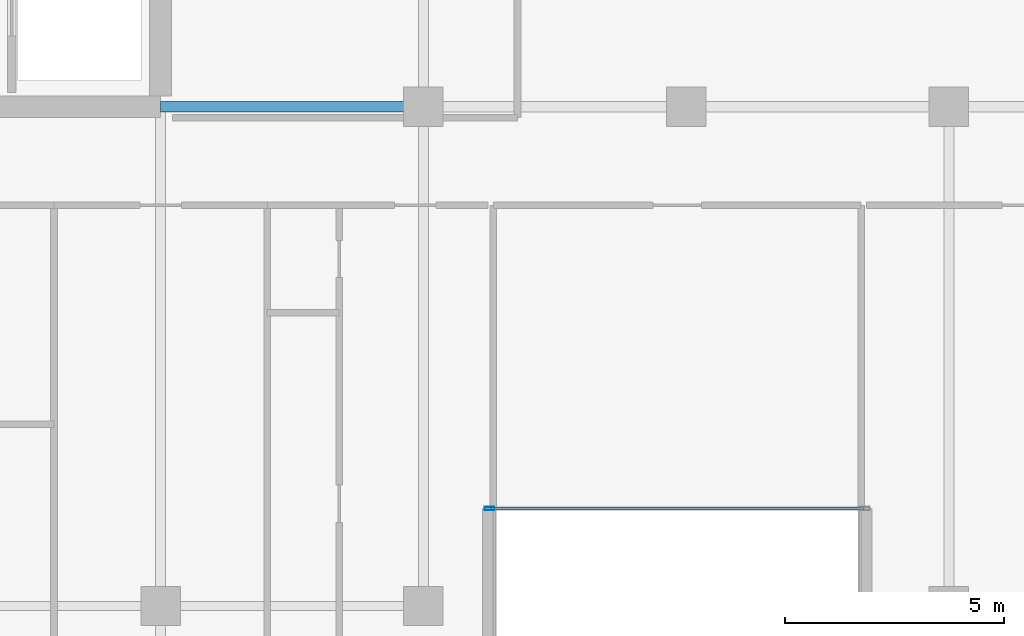
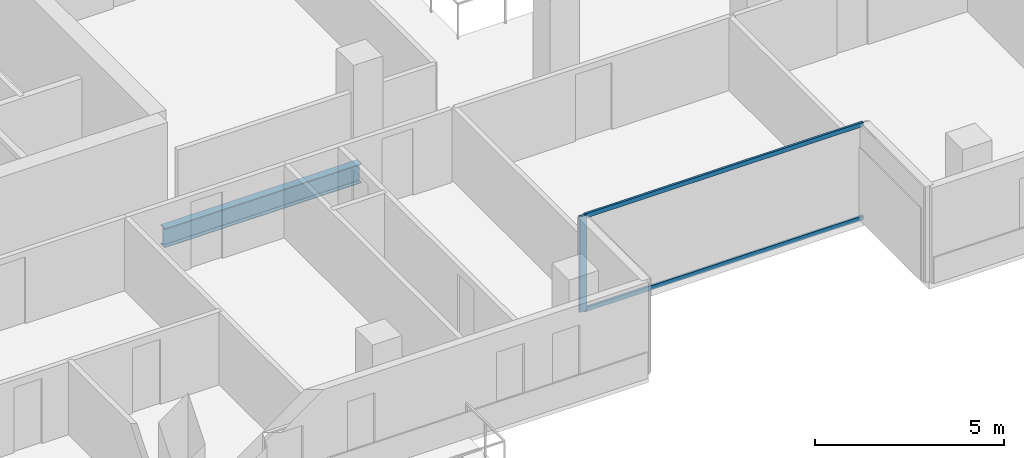
# One storey, part 4 of 29: 3 members, 1 beam, 1 element without a shape of its own.
"""IFC4 building model written with IfcOpenShell, lengths in metres."""

from ifc_helpers import new_model, si_unit, direction, frame, origin, origin_2d, place, context, subcontext, project, spatial, hollow_rectangle, i_section, extrude, material, layer, layer_set, material_profile, profile_set, type_object, element, aggregate, save


model = new_model("IFC4")

# Units and contexts
model_context = context("Model", 3, precision=1e-05, world=origin(), true_north=direction((0.0, 1.0)))
body_context = subcontext(model_context, "Body", "Model", "MODEL_VIEW")
ifc_project = project(units=[si_unit("LENGTHUNIT", "METRE"), si_unit("AREAUNIT", "SQUARE_METRE"), si_unit("VOLUMEUNIT", "CUBIC_METRE"), si_unit("PLANEANGLEUNIT", "RADIAN"), si_unit("MASSUNIT", "GRAM", prefix="KILO")], contexts=[model_context])

# Site, building, storey
site_placement = place(None, origin())
site = spatial("IfcSite", under=ifc_project, at=site_placement, CompositionType="ELEMENT")
building_placement = place(site_placement, origin())
building = spatial("IfcBuilding", under=site, at=building_placement, Name="Tanjung Sevakor Pilgrim Tower", CompositionType="ELEMENT")
storey_placement = place(building_placement, frame((0.0, 0.0, 151.800048828125)))
storey = spatial("IfcBuildingStorey", under=building, at=storey_placement, Name="L42", CompositionType="ELEMENT", Elevation=151.800048828125)

# Beam
ifc_material_1 = material(Name="Steel S355J2", Category="steel")
ifc_material_profile_1 = material_profile(ifc_material_1, i_section(OverallWidth=0.230224609375, OverallDepth=0.6171875, WebThickness=0.01318359375, FlangeThickness=0.022216796875, FilletRadius=0.0126953125, at=origin_2d()))
ifc_profile_set_1 = profile_set([ifc_material_profile_1], Name="Steel S355J2")
beam_type = type_object("IfcBeamType", Name="BM-B-G3-UB_610x229x140", PredefinedType="BEAM", material=ifc_profile_set_1)
beam_placement = place(storey_placement, frame((36.0, 24.60009765625, -0.528564453125), z_axis=(1.0, 0.0, 0.0), x_axis=(0.0, 1.0, 0.0)))
element("IfcBeam", 1, at=beam_placement, inside=storey, type_object=beam_type, Name="L42 Primary Floor Girder MAIN Y246-01", PredefinedType="BEAM", context=body_context, shape_type="SweptSolid", body=[
    extrude(i_section(OverallWidth=0.230224609375, OverallDepth=0.6171875, WebThickness=0.01318359375, FlangeThickness=0.022216796875, FilletRadius=0.0126953125, at=origin_2d()), origin(), (0.0, 0.0, 1.0), 6.0),
])

# Curtain wall, members
ifc_material_2 = material(Name="Aluminium 6063-T6 and Low-E Glass", Category="aluminium")
ifc_layer = layer(ifc_material_2, 0.179931640625)
ifc_layer_set = layer_set([ifc_layer], Name="CW-SYS-CLEFT")
curtain_wall_type = type_object("IfcCurtainWallType", Name="CW-SYS-CLEFT", PredefinedType="NOTDEFINED", material=ifc_layer_set)
curtain_wall_placement = place(storey_placement, origin())
curtain_wall = element("IfcCurtainWall", 2, at=curtain_wall_placement, inside=storey, type_object=curtain_wall_type, Name="L42 Curtain Wall CW-CLF-L42-2", PredefinedType="NOTDEFINED")
ifc_material_3 = material(Name="Aluminium 6063-T6", Category="aluminium")
ifc_material_profile_2 = material_profile(ifc_material_3, hollow_rectangle(XDim=0.074951171875, YDim=0.219970703125, WallThickness=0.0048828125, at=origin_2d()))
ifc_profile_set_2 = profile_set([ifc_material_profile_2], Name="Aluminium 6063-T6")
member_type_1 = type_object("IfcMemberType", Name="TYPE-CWM-2", PredefinedType="MULLION", material=ifc_profile_set_2)
member_1_placement = place(storey_placement, frame((43.512451171875, 15.425048828125, 0.0), z_axis=(0.0, 0.0, 1.0), x_axis=(0.0, 1.0, 0.0)))
member_1 = element("IfcMember", 3, at=member_1_placement, type_object=member_type_1, Name="CW-CLF mullion 1", PredefinedType="MULLION", context=body_context, shape_type="SweptSolid", body=[
    extrude(hollow_rectangle(XDim=0.074951171875, YDim=0.219970703125, WallThickness=0.0048828125, at=origin_2d()), origin(), (0.0, 0.0, 1.0), 3.079833984375),
])
ifc_material_4 = material(Name="Aluminium 6063-T6", Category="aluminium")
ifc_material_profile_3 = material_profile(ifc_material_4, hollow_rectangle(XDim=0.06494140625, YDim=0.139892578125, WallThickness=0.00390625, at=origin_2d()))
ifc_profile_set_3 = profile_set([ifc_material_profile_3], Name="Aluminium 6063-T6")
member_type_2 = type_object("IfcMemberType", Name="TYPE-CWT-1", PredefinedType="USERDEFINED", material=ifc_profile_set_3)
member_2_placement = place(storey_placement, frame((43.550048828125, 15.425048828125, 0.032470703125), z_axis=(1.0, 0.0, 0.0), x_axis=(0.0, 1.0, 0.0)))
member_2 = element("IfcMember", 4, at=member_2_placement, type_object=member_type_2, Name="CW-CLF transom 1.1", ObjectType="TRANSOM", PredefinedType="USERDEFINED", context=body_context, shape_type="SweptSolid", body=[
    extrude(hollow_rectangle(XDim=0.06494140625, YDim=0.139892578125, WallThickness=0.00390625, at=origin_2d()), origin(), (0.0, 0.0, 1.0), 8.5),
])
member_3_placement = place(storey_placement, frame((43.550048828125, 15.425048828125, 3.04736328125), z_axis=(1.0, 0.0, 0.0), x_axis=(0.0, 1.0, 0.0)))
member_3 = element("IfcMember", 5, at=member_3_placement, type_object=member_type_2, Name="CW-CLF transom 1.2", ObjectType="TRANSOM", PredefinedType="USERDEFINED", context=body_context, shape_type="SweptSolid", body=[
    extrude(hollow_rectangle(XDim=0.06494140625, YDim=0.139892578125, WallThickness=0.00390625, at=origin_2d()), origin(), (0.0, 0.0, 1.0), 8.5),
])
aggregate(curtain_wall, [member_1, member_2, member_3])

save(model, "model.ifc")
